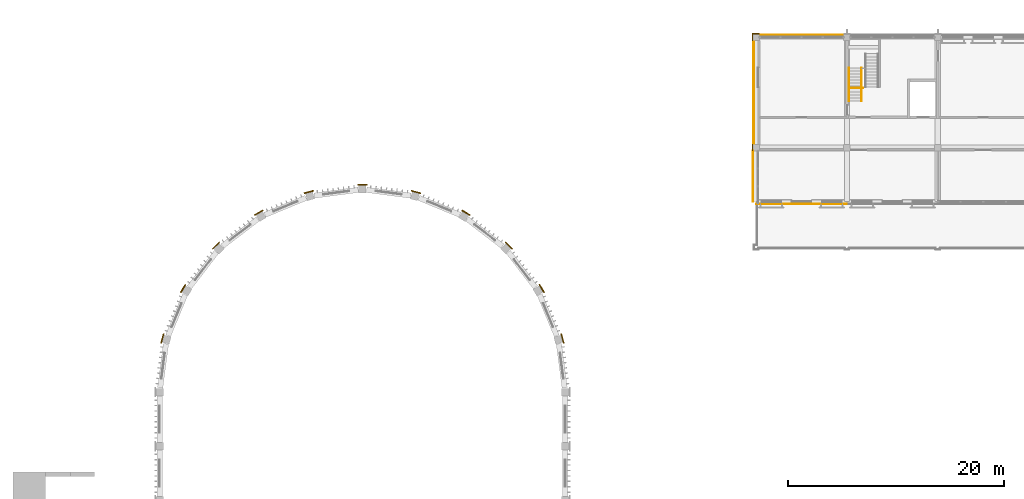
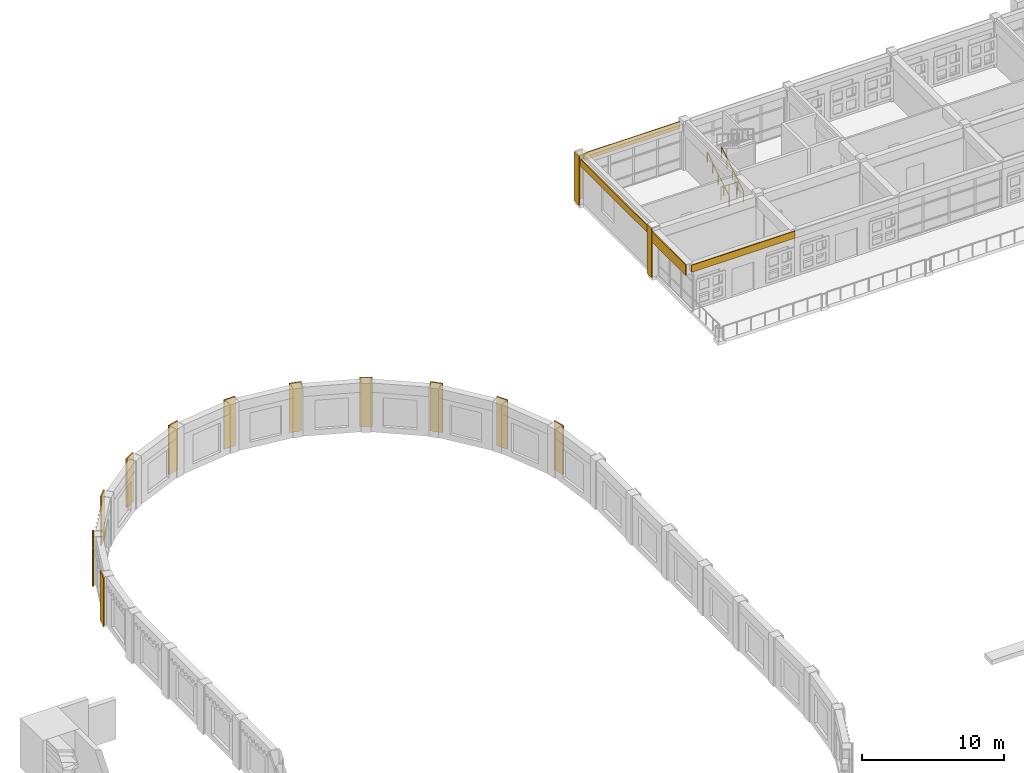
# One storey, part 66 of 71: 17 coverings, 3 railings.
"""IFC4 building model written with IfcOpenShell, lengths in metres."""

import ifcopenshell
import ifcopenshell.guid

model = None  # the IFC model being written
_history = None  # IfcOwnerHistory: only IFC2X3 demands one
_inside = {}  # id of a spatial element -> (the spatial element, [elements in it])
_under = {}  # id of a project, library or spatial element -> (it, [spatial elements below it])
_declared = {}  # id of a project -> (the project, [libraries it declares])
_typed = {}  # id of a type object -> (the type object, [elements of that type])
_made_of = {}  # id of a material, layer set ... -> (it, [elements and type objects made of it])


def new_model(schema):
    """Start an empty IFC model of exactly this schema.

    Asked for "IFC4X3", IfcOpenShell would pick the latest addendum, in which some entities
    have other attributes; the version numbers below select the first issue.
    IFC2X3 requires an IfcOwnerHistory on every rooted entity: one is made here for all.
    """
    global model, _history
    if schema == "IFC4X3":
        model = ifcopenshell.file(schema_version=(4, 3, 0, 0))
    else:
        model = ifcopenshell.file(schema=schema)
    _inside.clear()
    _under.clear()
    _declared.clear()
    _typed.clear()
    _made_of.clear()
    _history = None
    if model.schema == "IFC2X3":
        org = make("IfcOrganization", Name="unknown")
        user = make(
            "IfcPersonAndOrganization",
            ThePerson=make("IfcPerson", FamilyName="unknown"),
            TheOrganization=org,
        )
        app = make(
            "IfcApplication",
            ApplicationDeveloper=org,
            Version="unknown",
            ApplicationFullName="unknown",
            ApplicationIdentifier="unknown",
        )
        _history = make(
            "IfcOwnerHistory",
            OwningUser=user,
            OwningApplication=app,
            ChangeAction="ADDED",
            CreationDate=0,
        )
    return model


def make(cls, **values):
    """One entity of the class cls with the attributes given. An attribute that is None is left unset."""
    return model.create_entity(
        cls, **{name: value for name, value in values.items() if value is not None}
    )


def rooted(cls, **values):
    """An entity with a GlobalId (a new one), such as an element, a storey or a relation."""
    return make(cls, GlobalId=ifcopenshell.guid.new(), OwnerHistory=_history, **values)


def si_unit(unit_type, name, prefix=None):
    """IfcSIUnit, for example si_unit("LENGTHUNIT", "METRE", prefix="MILLI")."""
    return make("IfcSIUnit", UnitType=unit_type, Prefix=prefix, Name=name)


def assignment(units):
    """IfcUnitAssignment: the units of a project."""
    return None if units is None else make("IfcUnitAssignment", Units=units)


def point(xyz):
    """IfcCartesianPoint."""
    return None if xyz is None else make("IfcCartesianPoint", Coordinates=xyz)


def direction(xyz):
    """IfcDirection."""
    return None if xyz is None else make("IfcDirection", DirectionRatios=xyz)


def frame(location, z_axis=None, x_axis=None):
    """IfcAxis2Placement3D, a coordinate frame: its origin and axes. An axis left out is left unset."""
    return make(
        "IfcAxis2Placement3D",
        Location=point(location),
        Axis=direction(z_axis),
        RefDirection=direction(x_axis),
    )


def frame_2d(location, x_axis=None):
    """IfcAxis2Placement2D, a coordinate frame in the plane: its origin and x axis."""
    return make(
        "IfcAxis2Placement2D", Location=point(location), RefDirection=direction(x_axis)
    )


def origin():
    """The frame at (0, 0, 0) with its axes left unset."""
    return frame((0.0, 0.0, 0.0))


def origin_2d():
    """The frame at (0, 0) in the plane with its x axis left unset."""
    return frame_2d((0.0, 0.0))


def place(relative_to, where):
    """IfcLocalPlacement: puts the frame where relative to a parent placement (None: the world)."""
    return make(
        "IfcLocalPlacement", PlacementRelTo=relative_to, RelativePlacement=where
    )


def context(
    kind, dimensions, precision=None, world=None, true_north=None, identifier=None
):
    """IfcGeometricRepresentationContext, for example the 3D "Model" context."""
    return make(
        "IfcGeometricRepresentationContext",
        ContextIdentifier=identifier,
        ContextType=kind,
        CoordinateSpaceDimension=dimensions,
        Precision=precision,
        WorldCoordinateSystem=world,
        TrueNorth=true_north,
    )


def subcontext(parent, identifier, kind, view, scale=None):
    """IfcGeometricRepresentationSubContext, for example "Body" below "Model"."""
    return make(
        "IfcGeometricRepresentationSubContext",
        ContextIdentifier=identifier,
        ContextType=kind,
        ParentContext=parent,
        TargetScale=scale,
        TargetView=view,
    )


def project(units=None, contexts=None):
    """IfcProject with its units and contexts."""
    return rooted(
        "IfcProject",
        Name="project",
        RepresentationContexts=contexts,
        UnitsInContext=assignment(units),
    )


def spatial(cls, under=None, at=None, **own):
    """A site, building, storey or space (cls), placed at a placement, below another one or the project."""
    s = rooted(cls, ObjectPlacement=at, **own)
    if under is not None:
        _under.setdefault(under.id(), (under, []))[1].append(s)
    return s


def polyline(points):
    """IfcPolyline through the points."""
    return make("IfcPolyline", Points=[point(p) for p in points])


def profile(cls, at=None, kind="AREA", **sizes):
    """A parametric profile (cls). Its sizes go by their IFC names, for example OverallWidth=200.0."""
    return make(cls, ProfileType=kind, Position=at, **sizes)


def rectangle(**sizes):
    """IfcRectangleProfileDef."""
    return profile("IfcRectangleProfileDef", **sizes)


def circle(**sizes):
    """IfcCircleProfileDef."""
    return profile("IfcCircleProfileDef", **sizes)


def outline(outer, holes=None, kind="AREA"):
    """IfcArbitraryClosedProfileDef: a profile drawn as a closed curve; with holes, ...WithVoids."""
    if holes is None:
        return make("IfcArbitraryClosedProfileDef", ProfileType=kind, OuterCurve=outer)
    return make(
        "IfcArbitraryProfileDefWithVoids",
        ProfileType=kind,
        OuterCurve=outer,
        InnerCurves=holes,
    )


def extrude(swept, where, along, depth):
    """IfcExtrudedAreaSolid: the profile swept, set in the frame where, extruded along a direction by depth."""
    return make(
        "IfcExtrudedAreaSolid",
        SweptArea=swept,
        Position=where,
        ExtrudedDirection=direction(along),
        Depth=depth,
    )


def shape(context_of_items, identifier, shape_type, items):
    """IfcShapeRepresentation: the items that make up one representation, for example the "Body"."""
    return make(
        "IfcShapeRepresentation",
        ContextOfItems=context_of_items,
        RepresentationIdentifier=identifier,
        RepresentationType=shape_type,
        Items=items,
    )


def material(Name=None, Category=None):
    """IfcMaterial."""
    return make("IfcMaterial", Name=Name, Category=Category)


def layer(
    of_material, thickness, ventilated=None, Name=None, Category=None, Priority=None
):
    """IfcMaterialLayer: one layer of a wall or slab, of a material (None: an air gap)."""
    return make(
        "IfcMaterialLayer",
        Material=of_material,
        LayerThickness=thickness,
        IsVentilated=ventilated,
        Name=Name,
        Category=Category,
        Priority=Priority,
    )


def layer_set(layers, Name=None):
    """IfcMaterialLayerSet."""
    return make("IfcMaterialLayerSet", MaterialLayers=layers, LayerSetName=Name)


def made_of(thing, what):
    """Note that an element or type object is made of a material, layer set ...; save() writes the relation."""
    if what is not None:
        _made_of.setdefault(what.id(), (what, []))[1].append(thing)
    return thing


def type_object(cls, material=None, **own):
    """A type object (cls), such as IfcWallType, which elements share."""
    return made_of(rooted(cls, **own), material)


def element(
    cls,
    number,
    at=None,
    inside=None,
    cuts=None,
    type_object=None,
    material=None,
    context=None,
    identifier="Body",
    shape_type=None,
    held_by="IfcProductDefinitionShape",
    body=None,
    shapes=None,
    **own,
):
    """One element of the class cls, such as IfcWall. Its Tag is "e" and its number.

    at: its placement. inside: the storey or other place that contains it. cuts: it is an
    opening in that element (IfcRelVoidsElement). A single representation is given by context,
    identifier, shape_type and body (its items); several are given by shapes. held_by: the class
    of the entity that holds the representations. save() writes the other relations.
    """
    e = rooted(cls, Tag="e%d" % number, ObjectPlacement=at, **own)
    if body is not None:
        shapes = [shape(context, identifier, shape_type, body)]
    if shapes is not None:
        e.Representation = make(held_by, Representations=shapes)
    if inside is not None:
        _inside.setdefault(inside.id(), (inside, []))[1].append(e)
    if cuts is not None:
        rooted(
            "IfcRelVoidsElement", RelatingBuildingElement=cuts, RelatedOpeningElement=e
        )
    if type_object is not None:
        _typed.setdefault(type_object.id(), (type_object, []))[1].append(e)
    return made_of(e, material)


def aggregate(whole, parts):
    """IfcRelAggregates: a whole, such as a stair, and the parts it consists of."""
    return rooted("IfcRelAggregates", RelatingObject=whole, RelatedObjects=parts)


def save(model, path):
    """Write the relations noted so far, then the file.

    IfcRelAggregates (storeys below a building ...), IfcRelContainedInSpatialStructure (elements
    in a storey), IfcRelDefinesByType, IfcRelAssociatesMaterial and IfcRelDeclares: one each for
    every whole, place, type object, material and project.
    """
    for whole, parts in _under.values():
        aggregate(whole, parts)
    for where, things in _inside.values():
        rooted(
            "IfcRelContainedInSpatialStructure",
            RelatedElements=things,
            RelatingStructure=where,
        )
    for kind, things in _typed.values():
        rooted("IfcRelDefinesByType", RelatedObjects=things, RelatingType=kind)
    for what, things in _made_of.values():
        rooted("IfcRelAssociatesMaterial", RelatedObjects=things, RelatingMaterial=what)
    for by, libraries in _declared.values():
        rooted("IfcRelDeclares", RelatingContext=by, RelatedDefinitions=libraries)
    model.write(path)


model = new_model("IFC4")

# Units and contexts
model_context = context("Model", 3, precision=1e-05, world=origin(), true_north=direction((0.0, 1.0)))
body_context = subcontext(model_context, "Body", "Model", "MODEL_VIEW")
ifc_project = project(units=[si_unit("LENGTHUNIT", "METRE"), si_unit("AREAUNIT", "SQUARE_METRE"), si_unit("VOLUMEUNIT", "CUBIC_METRE"), si_unit("PLANEANGLEUNIT", "RADIAN"), si_unit("MASSUNIT", "GRAM", prefix="KILO")], contexts=[model_context])

# Site, building, storey
site_placement = place(None, origin())
site = spatial("IfcSite", under=ifc_project, at=site_placement, CompositionType="ELEMENT")
building_placement = place(site_placement, origin())
building = spatial("IfcBuilding", under=site, at=building_placement, Name="Wasatch Bagh Community Centre", CompositionType="ELEMENT")
storey_placement = place(building_placement, frame((0.0, 0.0, 12.60009765625)))
storey = spatial("IfcBuildingStorey", under=building, at=storey_placement, Name="L03", CompositionType="ELEMENT", Elevation=12.60009765625)

# Coverings
ifc_material_1 = material(Name="Cast stone cladding", Category="masonry")
ifc_layer_1 = layer(ifc_material_1, 0.080078125)
ifc_layer_set_1 = layer_set([ifc_layer_1], Name="Cast stone cladding")
covering_type_1 = type_object("IfcCoveringType", Name="CL-B7 beam facing", PredefinedType="CLADDING", material=ifc_layer_set_1)
covering_1_placement = place(storey_placement, frame((0.0, 0.0, 3.31982421875)))
element("IfcCovering", 1, at=covering_1_placement, inside=storey, type_object=covering_type_1, Name="Beam facing", PredefinedType="CLADDING", context=body_context, shape_type="SweptSolid", body=[
    extrude(outline(polyline([(72.699951171875, 97.97509765625), (80.5, 97.97509765625), (80.5, 98.054931640625), (72.699951171875, 98.054931640625), (72.699951171875, 97.97509765625)])), origin(), (0.0, 0.0, 1.0), 0.60009765625),
])
covering_2_placement = place(storey_placement, frame((0.0, 0.0, 3.31982421875)))
element("IfcCovering", 2, at=covering_2_placement, inside=storey, type_object=covering_type_1, Name="Beam facing", PredefinedType="CLADDING", context=body_context, shape_type="SweptSolid", body=[
    extrude(outline(polyline([(72.22509765625, 87.89990234375), (72.22509765625, 97.5), (72.14501953125, 97.5), (72.14501953125, 87.89990234375), (72.22509765625, 87.89990234375)])), origin(), (0.0, 0.0, 1.0), 0.60009765625),
])
covering_3_placement = place(storey_placement, frame((0.0, 0.0, 3.02001953125)))
element("IfcCovering", 3, at=covering_3_placement, inside=storey, type_object=covering_type_1, Name="Beam facing", PredefinedType="CLADDING", context=body_context, shape_type="SweptSolid", body=[
    extrude(outline(polyline([(72.14990234375, 87.300048828125), (72.14990234375, 82.60009765625), (72.070068359375, 82.60009765625), (72.070068359375, 87.300048828125), (72.14990234375, 87.300048828125)])), origin(), (0.0, 0.0, 1.0), 0.89990234375),
])
covering_4_placement = place(storey_placement, frame((0.0, 0.0, 3.31982421875)))
element("IfcCovering", 4, at=covering_4_placement, inside=storey, type_object=covering_type_1, Name="Beam facing", PredefinedType="CLADDING", context=body_context, shape_type="SweptSolid", body=[
    extrude(outline(polyline([(72.39990234375, 82.425048828125), (80.800048828125, 82.425048828125), (80.800048828125, 82.344970703125), (72.39990234375, 82.344970703125), (72.39990234375, 82.425048828125)])), origin(), (0.0, 0.0, 1.0), 0.60009765625),
])
ifc_layer_2 = layer(ifc_material_1, 0.080078125)
ifc_layer_set_2 = layer_set([ifc_layer_2], Name="Cast stone cladding")
covering_type_2 = type_object("IfcCoveringType", Name="CL-C1 column facing", PredefinedType="CLADDING", material=ifc_layer_set_2)
covering_5_placement = place(storey_placement, origin())
element("IfcCovering", 5, at=covering_5_placement, inside=storey, type_object=covering_type_2, Name="Column facing", PredefinedType="CLADDING", context=body_context, shape_type="SweptSolid", body=[
    extrude(outline(polyline([(72.10009765625, 87.89990234375), (72.10009765625, 87.300048828125), (72.02001953125, 87.300048828125), (72.02001953125, 87.89990234375), (72.10009765625, 87.89990234375)])), origin(), (0.0, 0.0, 1.0), 4.199951171875),
])
covering_6_placement = place(storey_placement, origin())
element("IfcCovering", 6, at=covering_6_placement, inside=storey, type_object=covering_type_2, Name="Column facing", PredefinedType="CLADDING", context=body_context, shape_type="SweptSolid", body=[
    extrude(outline(polyline([(72.10009765625, 97.5), (72.02001953125, 97.5), (72.02001953125, 98.179931640625), (72.699951171875, 98.179931640625), (72.699951171875, 98.10009765625), (72.10009765625, 98.10009765625), (72.10009765625, 97.5)])), origin(), (0.0, 0.0, 1.0), 4.199951171875),
])

# Railings
ifc_material_2 = material(Name="Painted steel with jali infill", Category="steel")
railing_type_1 = type_object("IfcRailingType", Name="LW guard 1100", PredefinedType="GUARDRAIL", material=ifc_material_2)
railing_placement = place(storey_placement, frame((81.0, 93.10009765625, 0.0)))
element("IfcRailing", 7, at=railing_placement, inside=storey, type_object=railing_type_1, Name="Guard C1", PredefinedType="GUARDRAIL", context=body_context, shape_type="SweptSolid", body=[
    extrude(circle(Radius=0.02490234375, at=origin_2d()), frame((0.0, 0.0, 1.0751953125), z_axis=(1.0, 0.0, 0.0), x_axis=(0.0, 1.0, 0.0)), (0.0, 0.0, 1.0), 1.300048828125),
    extrude(circle(Radius=0.02001953125, at=origin_2d()), origin(), (0.0, 0.0, 1.0), 1.050048828125),
    extrude(circle(Radius=0.02001953125, at=origin_2d()), frame((0.64990234375, 0.0, 0.0)), (0.0, 0.0, 1.0), 1.050048828125),
    extrude(circle(Radius=0.02001953125, at=origin_2d()), frame((1.300048828125, 0.0, 0.0)), (0.0, 0.0, 1.0), 1.050048828125),
])
ifc_material_3 = material(Name="Painted steel tube", Category="steel")
railing_type_2 = type_object("IfcRailingType", Name="LW stair handrail 900", PredefinedType="HANDRAIL", material=ifc_material_3)
for number, where, name in (
    (8, (80.97509765625, 91.89990234375, 0.1748046875), "Handrail C1"),
    (9, (82.135009765625, 91.89990234375, 0.1748046875), "Handrail C1"),
):
    element("IfcRailing", number, at=place(storey_placement, frame(where)), inside=storey, type_object=railing_type_2, Name=name, PredefinedType="HANDRAIL", context=body_context, shape_type="SweptSolid", body=[
        extrude(circle(Radius=0.0224609375, at=origin_2d()), frame((0.0, 0.0, 0.87744140625), z_axis=(0.0, 0.847998304005, 0.529998940003), x_axis=(-1.0, 0.0, 0.0)), (0.0, 0.0, 1.0), 3.632080078125),
        extrude(circle(Radius=0.02001953125, at=origin_2d()), origin(), (0.0, 0.0, 1.0), 0.85498046875),
        extrude(circle(Radius=0.02001953125, at=origin_2d()), frame((0.0, 0.77001953125, 0.481201171875)), (0.0, 0.0, 1.0), 0.85498046875),
        extrude(circle(Radius=0.02001953125, at=origin_2d()), frame((0.0, 1.5400390625, 0.96240234375)), (0.0, 0.0, 1.0), 0.85498046875),
        extrude(circle(Radius=0.02001953125, at=origin_2d()), frame((0.0, 2.31005859375, 1.44384765625)), (0.0, 0.0, 1.0), 0.85498046875),
        extrude(circle(Radius=0.02001953125, at=origin_2d()), frame((0.0, 3.080078125, 1.925048828125)), (0.0, 0.0, 1.0), 0.85498046875),
    ])

# Coverings
ifc_material_4 = material(Name="White precast concrete C40/50", Category="concrete")
ifc_layer_3 = layer(ifc_material_4, 0.10009765625)
ifc_layer_set_3 = layer_set([ifc_layer_3], Name="White precast concrete C40/50")
covering_type_3 = type_object("IfcCoveringType", Name="MH column casing", PredefinedType="CLADDING", material=ifc_layer_set_3)
for number, where, z_axis, x_axis, name in (
    (10, (54.49755859375, 69.956298828125, 0.0), (0.0, 0.0, 1.0), (-0.258819045103, 0.965925826289, 0.0), "Column casing N1 L03"),
    (11, (52.58447265625, 74.574951171875, 0.0), (0.0, 0.0, 1.0), (-0.5, 0.866025403784, 0.0), "Column casing N2 L03"),
    (12, (49.541015625, 78.541015625, 0.0), (0.0, 0.0, 1.0), (-0.707106781187, 0.707106781187, 0.0), "Column casing N3 L03"),
    (13, (45.574951171875, 81.58447265625, 0.0), (0.0, 0.0, 1.0), (-0.866025403784, 0.5, 0.0), "Column casing N4 L03"),
    (14, (40.956298828125, 83.49755859375, 0.0), (0.0, 0.0, 1.0), (-0.965925826289, 0.258819045103, 0.0), "Column casing N5 L03"),
    (15, (36.0, 84.14990234375, 0.0), (0.0, 0.0, 1.0), (-1.0, 0.0, 0.0), "Column casing N6 L03"),
    (16, (31.043701171875, 83.49755859375, 0.0), (0.0, 0.0, 1.0), (-0.965925826289, -0.258819045103, 0.0), "Column casing N7 L03"),
    (17, (26.425048828125, 81.58447265625, 0.0), (0.0, 0.0, 1.0), (-0.866025403784, -0.5, 0.0), "Column casing N8 L03"),
    (18, (22.458984375, 78.541015625, 0.0), (0.0, 0.0, 1.0), (-0.707106781187, -0.707106781187, 0.0), "Column casing N9 L03"),
    (19, (19.41552734375, 74.574951171875, 0.0), (0.0, 0.0, 1.0), (-0.5, -0.866025403784, 0.0), "Column casing N10 L03"),
    (20, (17.50244140625, 69.956298828125, 0.0), (0.0, 0.0, 1.0), (-0.258819045103, -0.965925826289, 0.0), "Column casing N11 L03"),
):
    element("IfcCovering", number, at=place(storey_placement, frame(where, z_axis=z_axis, x_axis=x_axis)), inside=storey, type_object=covering_type_3, Name=name, PredefinedType="CLADDING", context=body_context, shape_type="SweptSolid", body=[
        extrude(rectangle(XDim=0.89990234375, YDim=0.10009765625, at=origin_2d()), origin(), (0.0, 0.0, 1.0), 4.199951171875),
    ])

save(model, "model.ifc")
